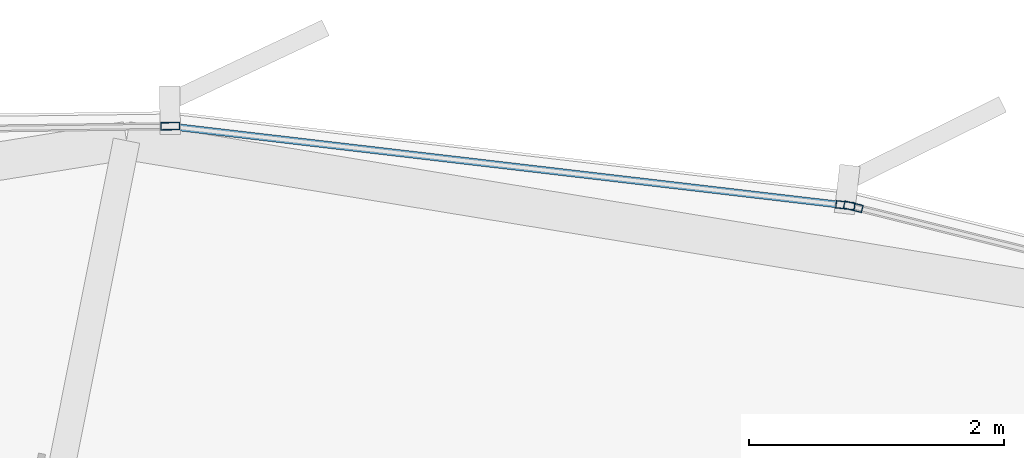
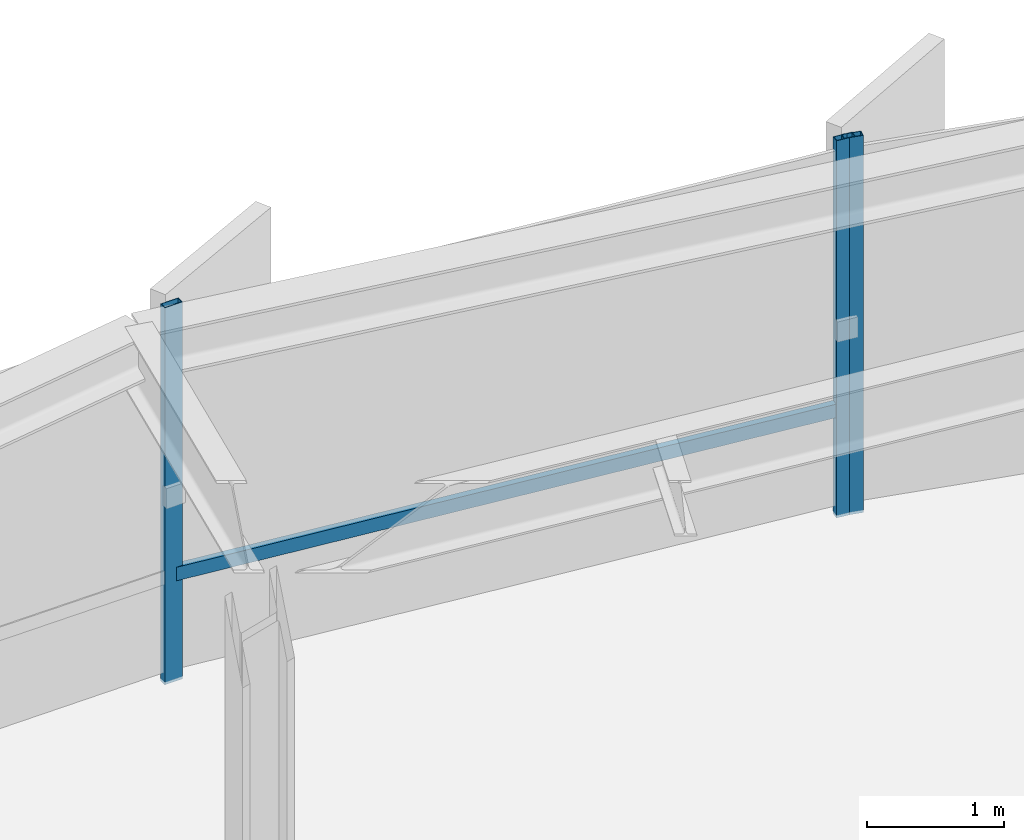
# One storey, part 27 of 35: 4 members, 2 elements without a shape of their own.
"""IFC4 building model written with IfcOpenShell, lengths in metres."""

from ifc_helpers import new_model, si_unit, direction, frame, origin, origin_2d, place, context, subcontext, project, spatial, hollow_rectangle, extrude, source, transform, mapped, material, layer, layer_set, material_profile, profile_set, type_object, element, aggregate, save


model = new_model("IFC4")

# Units and contexts
model_context = context("Model", 3, precision=1e-05, world=origin(), true_north=direction((0.0, 1.0)))
body_context = subcontext(model_context, "Body", "Model", "MODEL_VIEW")
ifc_project = project(units=[si_unit("LENGTHUNIT", "METRE"), si_unit("AREAUNIT", "SQUARE_METRE"), si_unit("VOLUMEUNIT", "CUBIC_METRE"), si_unit("PLANEANGLEUNIT", "RADIAN"), si_unit("MASSUNIT", "GRAM", prefix="KILO"), si_unit("THERMODYNAMICTEMPERATUREUNIT", "KELVIN")], contexts=[model_context])

# Site, building, storey
site_placement = place(None, origin())
site = spatial("IfcSite", under=ifc_project, at=site_placement, CompositionType="ELEMENT")
building_placement = place(site_placement, origin())
building = spatial("IfcBuilding", under=site, at=building_placement, Name="Kethvar Cultural Tower", CompositionType="ELEMENT")
storey_placement = place(building_placement, frame((0.0, 0.0, 85.60009765625)))
storey = spatial("IfcBuildingStorey", under=building, at=storey_placement, Name="L20", CompositionType="ELEMENT", Elevation=85.60009765625)

# Curtain wall, member
ifc_material = material(Name="Aluminium 6063-T6", Category="aluminium")
ifc_layer = layer(ifc_material, 0.179931640625, Name="Aluminium 6063-T6", Category="aluminium")
ifc_layer_set = layer_set([ifc_layer], Name="Aluminium 6063-T6 (180 mm)")
curtain_wall_type = type_object("IfcCurtainWallType", Name="CW-SYS-03-Z2", PredefinedType="NOTDEFINED", material=ifc_layer_set)
curtain_wall_1_placement = place(storey_placement, origin())
curtain_wall_1 = element("IfcCurtainWall", 1, at=curtain_wall_1_placement, inside=storey, type_object=curtain_wall_type, Name="L20 Curtain Wall Run 01", PredefinedType="NOTDEFINED")
ifc_material_profile_1 = material_profile(ifc_material, hollow_rectangle(XDim=0.06005859375, YDim=0.14990234375, WallThickness=0.0048828125, at=origin_2d()), Name="Aluminium 6063-T6 — RHS150x60x5")
ifc_profile_set_1 = profile_set([ifc_material_profile_1], Name="Aluminium 6063-T6 — RHS150x60x5")
member_type_1 = type_object("IfcMemberType", Name="CW-SYS-03-Z2-MUL", PredefinedType="MULLION", material=ifc_profile_set_1)
shared_shape_1 = source(origin(), body_context, "Body", "SweptSolid", [
    extrude(hollow_rectangle(XDim=0.06005859375, YDim=0.14990234375, WallThickness=0.0048828125, at=origin_2d()), origin(), (0.0, 0.0, 1.0), 3.349853515625),
])
member_1_placement = place(storey_placement, frame((57.30029296875, 51.427490234375, 0.0), z_axis=(0.0, 0.0, 1.0), x_axis=(-0.241650928488, -0.97036324578, 0.0)))
member_1 = element("IfcMember", 2, at=member_1_placement, type_object=member_type_1, Name="CW-L20-R01 Mullion 7", PredefinedType="MULLION", context=body_context, shape_type="MappedRepresentation", body=[
    mapped(shared_shape_1, transform((0.0, 0.0, 0.0), scale=1.0)),
])
aggregate(curtain_wall_1, [member_1])

# Curtain wall, members
curtain_wall_2_placement = place(storey_placement, origin())
curtain_wall_2 = element("IfcCurtainWall", 3, at=curtain_wall_2_placement, inside=storey, type_object=curtain_wall_type, Name="L20 Curtain Wall Run 02", PredefinedType="NOTDEFINED")
member_2_placement = place(storey_placement, frame((57.23828125, 51.438720703125, 0.0), z_axis=(0.0, 0.0, 1.0), x_axis=(-0.116185368447, -0.99322754702, 0.0)))
member_2 = element("IfcMember", 4, at=member_2_placement, type_object=member_type_1, Name="CW-L20-R02 Mullion 1", PredefinedType="MULLION", context=body_context, shape_type="MappedRepresentation", body=[
    mapped(shared_shape_1, transform((0.0, 0.0, 0.0), scale=1.0)),
])
member_3_placement = place(storey_placement, frame((51.945068359375, 52.05908203125, 0.0), z_axis=(0.0, 0.0, 1.0), x_axis=(0.012740558836, -0.999918835786, 0.0)))
member_3 = element("IfcMember", 5, at=member_3_placement, type_object=member_type_1, Name="CW-L20-R02 Mullion 2", PredefinedType="MULLION", context=body_context, shape_type="MappedRepresentation", body=[
    mapped(shared_shape_1, transform((0.0, 0.0, 0.0), scale=1.0)),
])
ifc_material_profile_2 = material_profile(ifc_material, hollow_rectangle(XDim=0.054931640625, YDim=0.1201171875, WallThickness=0.00390625, at=origin_2d()), Name="Aluminium 6063-T6 — RHS120x55x4")
ifc_profile_set_2 = profile_set([ifc_material_profile_2], Name="Aluminium 6063-T6 — RHS120x55x4")
member_type_2 = type_object("IfcMemberType", Name="CW-SYS-03-Z2-TRN", PredefinedType="USERDEFINED", material=ifc_profile_set_2)
shared_shape_2 = source(origin(), body_context, "Body", "SweptSolid", [
    extrude(hollow_rectangle(XDim=0.054931640625, YDim=0.1201171875, WallThickness=0.00390625, at=origin_2d()), origin(), (0.0, 0.0, 1.0), 5.296875),
])
member_4_placement = place(storey_placement, frame((57.23388671875, 51.439208984375, 0.949951171875), z_axis=(-0.993226218118, 0.116196728195, 0.0), x_axis=(-0.116196728195, -0.993226218118, 0.0)))
member_4 = element("IfcMember", 6, at=member_4_placement, type_object=member_type_2, Name="CW-L20-R02 Transom 1", ObjectType="TRANSOM", PredefinedType="USERDEFINED", context=body_context, shape_type="MappedRepresentation", body=[
    mapped(shared_shape_2, transform((0.0, 0.0, 0.0), scale=1.0)),
])
aggregate(curtain_wall_2, [member_2, member_3, member_4])

save(model, "model.ifc")
